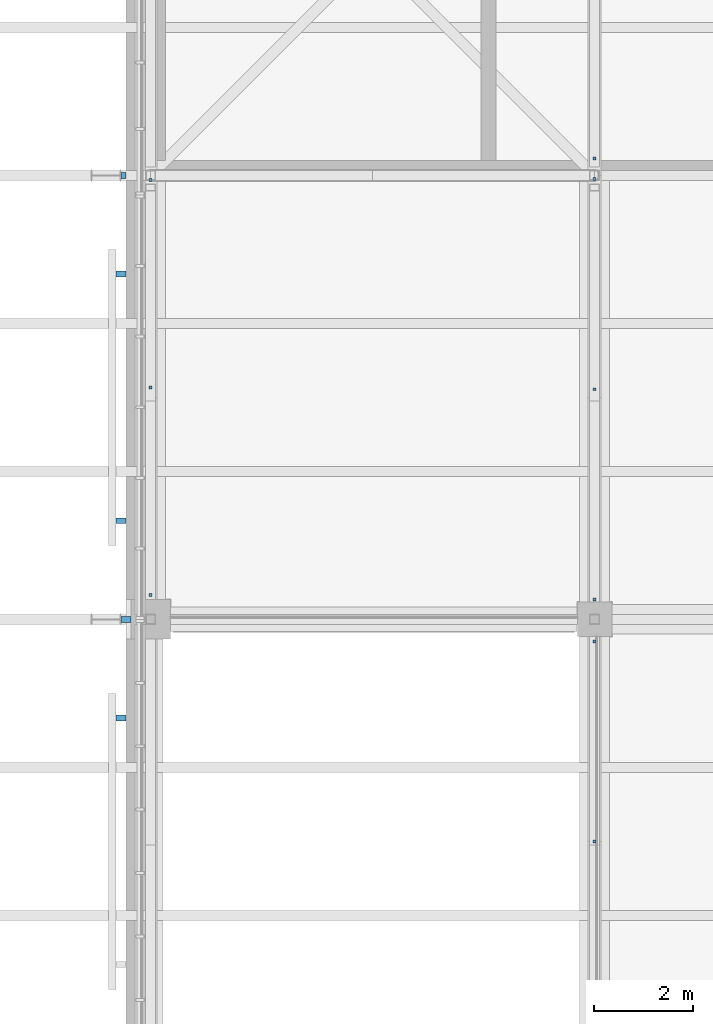
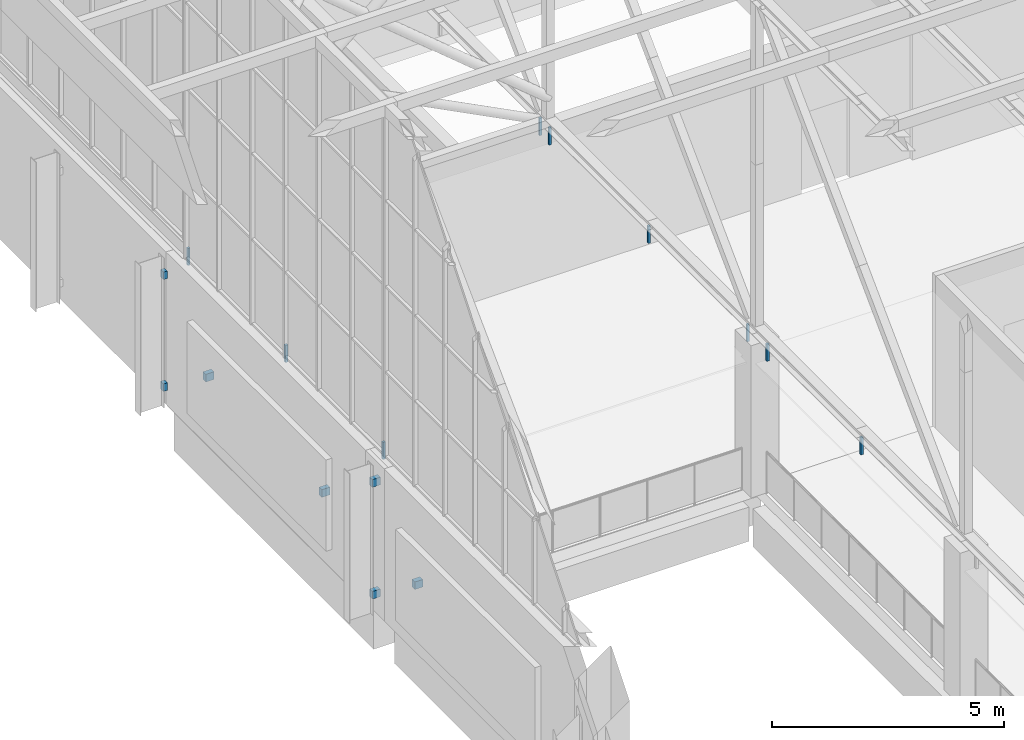
# One storey, part 201 of 646: 16 discrete accessories.
"""IFC4 building model written with IfcOpenShell, lengths in metres."""

from ifc_helpers import new_model, si_unit, direction, frame, origin, origin_2d, place, context, subcontext, project, spatial, rectangle, extrude, material, type_object, element, save


model = new_model("IFC4")

# Units and contexts
model_context = context("Model", 3, precision=1e-05, world=origin(), true_north=direction((0.0, 1.0)))
body_context = subcontext(model_context, "Body", "Model", "MODEL_VIEW")
ifc_project = project(units=[si_unit("LENGTHUNIT", "METRE"), si_unit("AREAUNIT", "SQUARE_METRE"), si_unit("VOLUMEUNIT", "CUBIC_METRE"), si_unit("PLANEANGLEUNIT", "RADIAN"), si_unit("MASSUNIT", "GRAM", prefix="KILO")], contexts=[model_context])

# Site, building, storey
site_placement = place(None, origin())
site = spatial("IfcSite", under=ifc_project, at=site_placement, CompositionType="ELEMENT")
building_placement = place(site_placement, origin())
building = spatial("IfcBuilding", under=site, at=building_placement, Name="Silverbay Arena", CompositionType="ELEMENT")
storey_placement = place(building_placement, frame((0.0, 0.0, 33.5)))
storey = spatial("IfcBuildingStorey", under=building, at=storey_placement, Name="L05", CompositionType="ELEMENT", Elevation=33.5)

# Discrete accessories
ifc_material_1 = material(Name="Steel S355", Category="steel")
discrete_accessory_type_1 = type_object("IfcDiscreteAccessoryType", Name="Ceiling hanger", PredefinedType="BRACKET", material=ifc_material_1)
for number, where, z_axis, x_axis, name in (
    (1, (63.0, 121.5, 3.5498046875), (0.0, 0.0, 1.0), (1.0, 0.0, 0.0), "Ceiling hanger"),
    (2, (63.0, 125.554931640625, 3.5498046875), (0.0, 0.0, 1.0), (1.0, 0.0, 0.0), "Ceiling hanger"),
    (3, (54.0, 126.4951171875, 3.5498046875), (0.0, 0.0, 1.0), (1.0, 0.0, 0.0), "Ceiling hanger"),
    (4, (54.0, 130.699951171875, 3.5498046875), (0.0, 0.0, 1.0), (1.0, 0.0, 0.0), "Ceiling hanger"),
    (5, (54.0, 134.905029296875, 3.5498046875), (0.0, 0.0, 1.0), (1.0, 0.0, 0.0), "Ceiling hanger"),
    (6, (63.0, 126.39990234375, 3.5498046875), (0.0, 0.0, 1.0), (1.0, 0.0, 0.0), "Ceiling hanger"),
    (7, (63.0, 130.6650390625, 3.5498046875), (0.0, 0.0, 1.0), (1.0, 0.0, 0.0), "Ceiling hanger"),
    (8, (63.0, 134.929931640625, 3.5498046875), (0.0, 0.0, 1.0), (1.0, 0.0, 0.0), "Ceiling hanger"),
    (9, (63.0, 135.340087890625, 3.5498046875), (0.0, 0.0, 1.0), (1.0, 0.0, 0.0), "Ceiling hanger"),
):
    element("IfcDiscreteAccessory", number, at=place(storey_placement, frame(where, z_axis=z_axis, x_axis=x_axis)), inside=storey, type_object=discrete_accessory_type_1, Name=name, PredefinedType="BRACKET", context=body_context, shape_type="SweptSolid", body=[
        extrude(rectangle(XDim=0.06005859375, YDim=0.06005859375, at=origin_2d()), origin(), (0.0, 0.0, 1.0), 0.449951171875),
    ])
ifc_material_2 = material(Name="Steel S355", Category="steel")
discrete_accessory_type_2 = type_object("IfcDiscreteAccessoryType", Name="Steel bracket plate", PredefinedType="BRACKET", material=ifc_material_2)
for number, where, z_axis, x_axis, name in (
    (10, (53.39990234375, 124.0, 1.89990234375), (0.0, 0.0, 1.0), (0.0, 1.0, 0.0), "Louvre support bracket"),
    (11, (53.39990234375, 128.0, 1.89990234375), (0.0, 0.0, 1.0), (0.0, 1.0, 0.0), "Louvre support bracket"),
    (12, (53.39990234375, 133.0, 1.89990234375), (0.0, 0.0, 1.0), (0.0, 1.0, 0.0), "Louvre support bracket"),
):
    element("IfcDiscreteAccessory", number, at=place(storey_placement, frame(where, z_axis=z_axis, x_axis=x_axis)), inside=storey, type_object=discrete_accessory_type_2, Name=name, PredefinedType="BRACKET", context=body_context, shape_type="SweptSolid", body=[
        extrude(rectangle(XDim=0.1201171875, YDim=0.199951171875, at=origin_2d()), origin(), (0.0, 0.0, 1.0), 0.199951171875),
    ])
for number, where, z_axis, x_axis, name in (
    (13, (53.5, 126.0, 0.39990234375), (0.0, 0.0, 1.0), (1.0, 0.0, 0.0), "Fin bracket"),
    (14, (53.5, 126.0, 3.33984375), (0.0, 0.0, 1.0), (1.0, 0.0, 0.0), "Fin bracket"),
):
    element("IfcDiscreteAccessory", number, at=place(storey_placement, frame(where, z_axis=z_axis, x_axis=x_axis)), inside=storey, type_object=discrete_accessory_type_2, Name=name, PredefinedType="BRACKET", context=body_context, shape_type="SweptSolid", body=[
        extrude(rectangle(XDim=0.199951171875, YDim=0.1201171875, at=origin_2d()), origin(), (0.0, 0.0, 1.0), 0.199951171875),
    ])
for number, where, z_axis, x_axis, name in (
    (15, (53.449951171875, 135.0, 0.39990234375), (0.0, 0.0, 1.0), (1.0, 0.0, 0.0), "Fin bracket"),
    (16, (53.449951171875, 135.0, 3.33984375), (0.0, 0.0, 1.0), (1.0, 0.0, 0.0), "Fin bracket"),
):
    element("IfcDiscreteAccessory", number, at=place(storey_placement, frame(where, z_axis=z_axis, x_axis=x_axis)), inside=storey, type_object=discrete_accessory_type_2, Name=name, PredefinedType="BRACKET", context=body_context, shape_type="SweptSolid", body=[
        extrude(rectangle(XDim=0.10009765625, YDim=0.1201171875, at=origin_2d()), origin(), (0.0, 0.0, 1.0), 0.199951171875),
    ])

save(model, "model.ifc")
